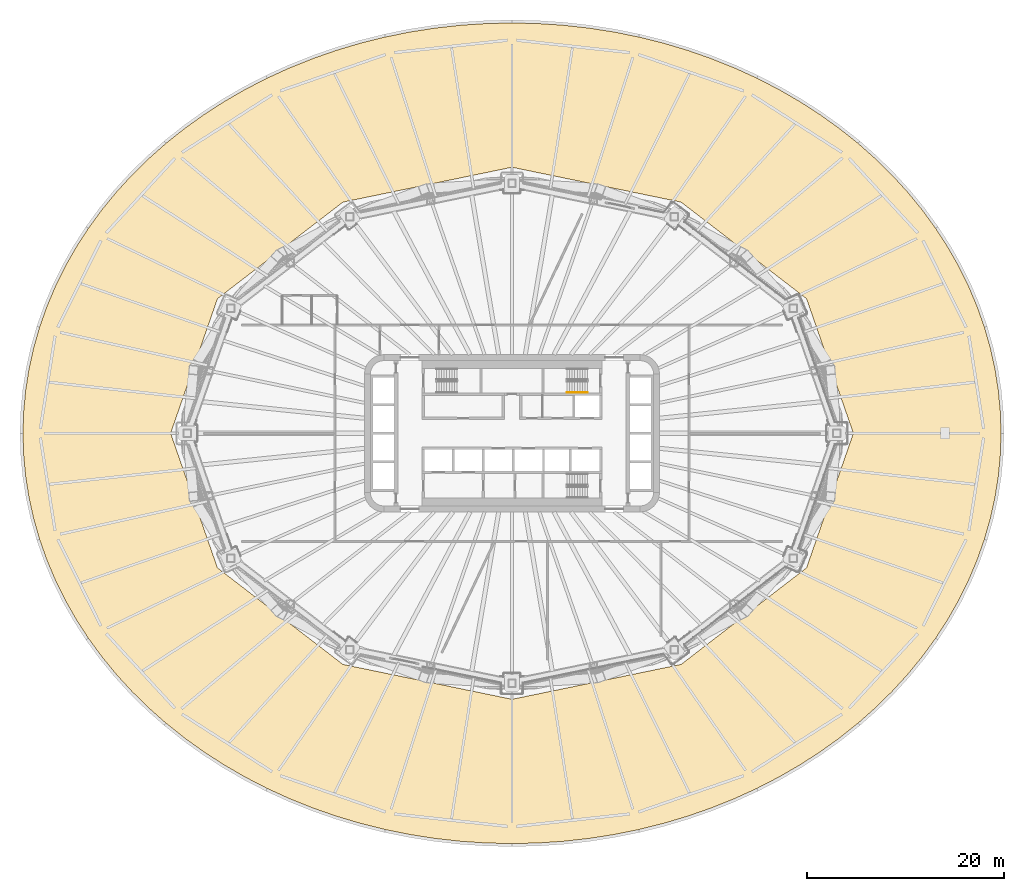
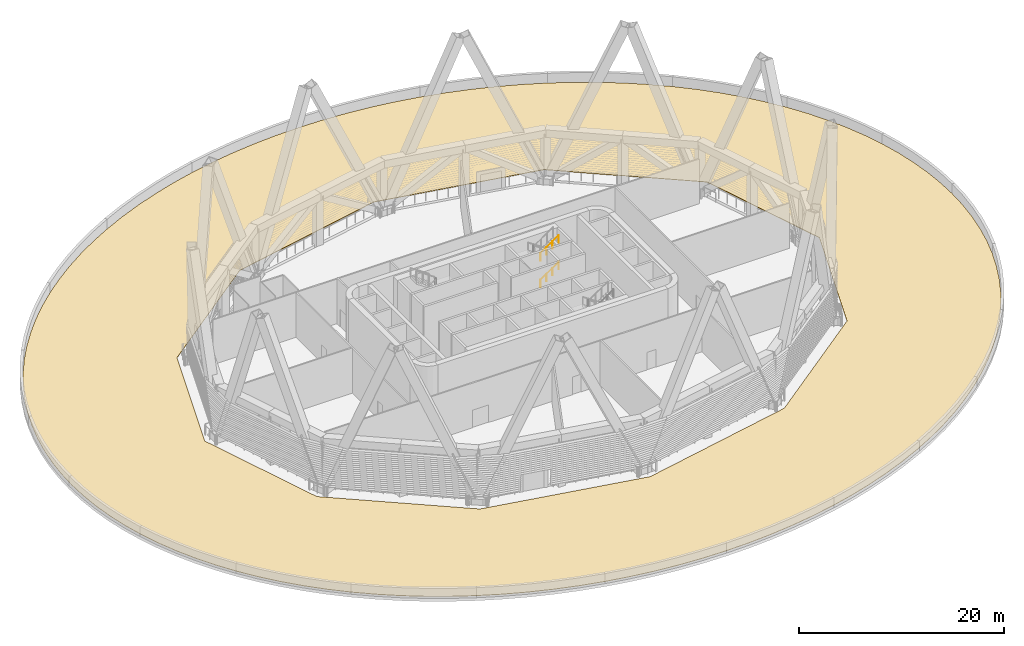
# One storey, part 21 of 27: 2 railings, 1 covering.
"""IFC4 building model written with IfcOpenShell, lengths in metres."""

from ifc_helpers import new_model, si_unit, direction, frame, origin, origin_2d, place, context, subcontext, project, spatial, polyline, circle, outline, extrude, material, layer, layer_set, type_object, element, save


model = new_model("IFC4")

# Units and contexts
model_context = context("Model", 3, precision=1e-05, world=origin(), true_north=direction((0.0, 1.0)))
body_context = subcontext(model_context, "Body", "Model", "MODEL_VIEW")
ifc_project = project(units=[si_unit("LENGTHUNIT", "METRE"), si_unit("AREAUNIT", "SQUARE_METRE"), si_unit("VOLUMEUNIT", "CUBIC_METRE"), si_unit("PLANEANGLEUNIT", "RADIAN"), si_unit("MASSUNIT", "GRAM", prefix="KILO")], contexts=[model_context])

# Site, building, storey
site_placement = place(None, origin())
site = spatial("IfcSite", under=ifc_project, at=site_placement, CompositionType="ELEMENT")
building_placement = place(site_placement, origin())
building = spatial("IfcBuilding", under=site, at=building_placement, Name="Sahrelin Media Tower", CompositionType="ELEMENT")
storey_placement = place(building_placement, frame((0.0, 0.0, 44.0)))
storey = spatial("IfcBuildingStorey", under=building, at=storey_placement, Name="L06", CompositionType="ELEMENT", Elevation=44.0)

# Covering
ifc_material_1 = material(Name="Bituminous roofing membrane")
ifc_layer = layer(ifc_material_1, 0.050048828125)
ifc_layer_set = layer_set([ifc_layer], Name="Podium roof membrane")
covering_type = type_object("IfcCoveringType", Name="Podium roof membrane", PredefinedType="ROOFING", material=ifc_layer_set)
covering_placement = place(storey_placement, origin())
element("IfcCovering", 1, at=covering_placement, inside=storey, type_object=covering_type, Name="Podium roof membrane", PredefinedType="ROOFING", context=body_context, shape_type="SweptSolid", body=[
    extrude(outline(polyline([(49.632080078125, -2.179443359375), (49.428466796875, -4.35302734375), (49.089599609375, -6.5146484375), (48.61669921875, -8.65869140625), (48.010498046875, -10.779296875), (47.27294921875, -12.87060546875), (46.406005859375, -14.9267578125), (45.412109375, -16.9423828125), (44.293701171875, -18.912109375), (43.05419921875, -20.830078125), (41.6962890625, -22.69140625), (40.223876953125, -24.49072265625), (38.641357421875, -26.223388671875), (36.95263671875, -27.884033203125), (35.162353515625, -29.46875), (33.275390625, -30.972900390625), (31.29736328125, -32.39208984375), (29.23291015625, -33.72265625), (27.08837890625, -34.960693359375), (24.869140625, -36.103271484375), (22.58154296875, -37.146484375), (20.231689453125, -38.087890625), (17.826416015625, -38.9248046875), (15.371826171875, -39.655029296875), (12.875, -40.276123046875), (10.343017578125, -40.786865234375), (7.781982421875, -41.185546875), (5.199951171875, -41.47119140625), (2.603515625, -41.642578125), (0.0, -41.699951171875), (-2.603515625, -41.642578125), (-5.199951171875, -41.47119140625), (-7.781982421875, -41.185546875), (-10.343017578125, -40.786865234375), (-12.875, -40.276123046875), (-15.371826171875, -39.655029296875), (-17.826416015625, -38.9248046875), (-20.231689453125, -38.087890625), (-22.58154296875, -37.146484375), (-24.869140625, -36.103271484375), (-27.08837890625, -34.960693359375), (-29.23291015625, -33.72265625), (-31.29736328125, -32.39208984375), (-33.275390625, -30.972900390625), (-35.162353515625, -29.46875), (-36.95263671875, -27.884033203125), (-38.641357421875, -26.223388671875), (-40.223876953125, -24.49072265625), (-41.6962890625, -22.69140625), (-43.05419921875, -20.830078125), (-44.293701171875, -18.912109375), (-45.412109375, -16.9423828125), (-46.406005859375, -14.9267578125), (-47.27294921875, -12.87060546875), (-48.010498046875, -10.779296875), (-48.61669921875, -8.65869140625), (-49.089599609375, -6.5146484375), (-49.428466796875, -4.35302734375), (-49.632080078125, -2.179443359375), (-49.699951171875, 0.0), (-49.632080078125, 2.179443359375), (-49.428466796875, 4.35302734375), (-49.089599609375, 6.5146484375), (-48.61669921875, 8.65869140625), (-48.010498046875, 10.779296875), (-47.27294921875, 12.87060546875), (-46.406005859375, 14.9267578125), (-45.412109375, 16.9423828125), (-44.293701171875, 18.912109375), (-43.05419921875, 20.830078125), (-41.6962890625, 22.69140625), (-40.223876953125, 24.49072265625), (-38.641357421875, 26.223388671875), (-36.95263671875, 27.884033203125), (-35.162353515625, 29.46875), (-33.275390625, 30.972900390625), (-31.29736328125, 32.39208984375), (-29.23291015625, 33.72265625), (-27.08837890625, 34.960693359375), (-24.869140625, 36.103271484375), (-22.58154296875, 37.146484375), (-20.231689453125, 38.087890625), (-17.826416015625, 38.9248046875), (-15.371826171875, 39.655029296875), (-12.875, 40.276123046875), (-10.343017578125, 40.786865234375), (-7.781982421875, 41.185546875), (-5.199951171875, 41.47119140625), (-2.603515625, 41.642578125), (0.0, 41.699951171875), (2.603515625, 41.642578125), (5.199951171875, 41.47119140625), (7.781982421875, 41.185546875), (10.343017578125, 40.786865234375), (12.875, 40.276123046875), (15.371826171875, 39.655029296875), (17.826416015625, 38.9248046875), (20.231689453125, 38.087890625), (22.58154296875, 37.146484375), (24.869140625, 36.103271484375), (27.08837890625, 34.960693359375), (29.23291015625, 33.72265625), (31.29736328125, 32.39208984375), (33.275390625, 30.972900390625), (35.162353515625, 29.46875), (36.95263671875, 27.884033203125), (38.641357421875, 26.223388671875), (40.223876953125, 24.49072265625), (41.6962890625, 22.69140625), (43.05419921875, 20.830078125), (44.293701171875, 18.912109375), (45.412109375, 16.9423828125), (46.406005859375, 14.9267578125), (47.27294921875, 12.87060546875), (48.010498046875, 10.779296875), (48.61669921875, 8.65869140625), (49.089599609375, 6.5146484375), (49.428466796875, 4.35302734375), (49.632080078125, 2.179443359375), (49.699951171875, 0.0), (49.632080078125, -2.179443359375)]), holes=[polyline([(29.932861328125, 13.6767578125), (17.18408203125, 23.489501953125), (0.0, 27.03369140625), (-17.18408203125, 23.489501953125), (-29.932861328125, 13.6767578125), (-34.694091796875, 0.0), (-29.932861328125, -13.6767578125), (-17.18408203125, -23.489501953125), (0.0, -27.03369140625), (17.18408203125, -23.489501953125), (29.932861328125, -13.6767578125), (34.694091796875, 0.0), (29.932861328125, 13.6767578125)])]), origin(), (0.0, 0.0, 1.0), 0.050048828125),
])

# Railings
ifc_material_2 = material(Name="Steel S355", Category="steel")
railing_type = type_object("IfcRailingType", Name="Stair handrail 900", PredefinedType="HANDRAIL", material=ifc_material_2)
for number, where, name in (
    (2, (5.594970703125, 4.14990234375, 1.77783203125), "L06 ST3 stair handrail 2"),
    (3, (5.594970703125, 4.14990234375, 4.977783203125), "L06 ST3 stair handrail 4"),
):
    element("IfcRailing", number, at=place(storey_placement, frame(where)), inside=storey, type_object=railing_type, Name=name, PredefinedType="HANDRAIL", context=body_context, shape_type="SweptSolid", body=[
        extrude(circle(Radius=0.02392578125, at=origin_2d()), frame((0.0, 0.0, 0.8759765625), z_axis=(0.82550921652, 0.0, 0.564388636881), x_axis=(0.0, 1.0, 0.0)), (0.0, 0.0, 1.0), 2.519775390625),
        extrude(circle(Radius=0.02099609375, at=origin_2d()), origin(), (0.0, 0.0, 1.0), 0.851806640625),
        extrude(circle(Radius=0.02099609375, at=origin_2d()), frame((0.693359375, 0.0, 0.47412109375)), (0.0, 0.0, 1.0), 0.851806640625),
        extrude(circle(Radius=0.02099609375, at=origin_2d()), frame((1.38671875, 0.0, 0.947998046875)), (0.0, 0.0, 1.0), 0.851806640625),
        extrude(circle(Radius=0.02099609375, at=origin_2d()), frame((2.080078125, 0.0, 1.422119140625)), (0.0, 0.0, 1.0), 0.851806640625),
    ])

save(model, "model.ifc")
